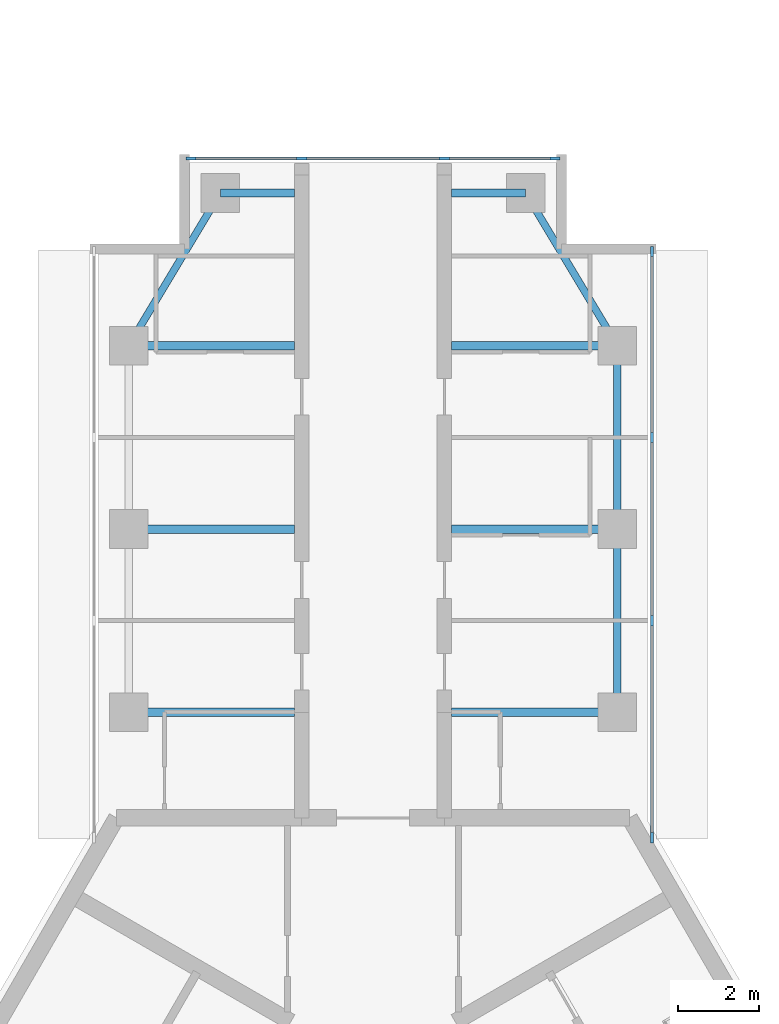
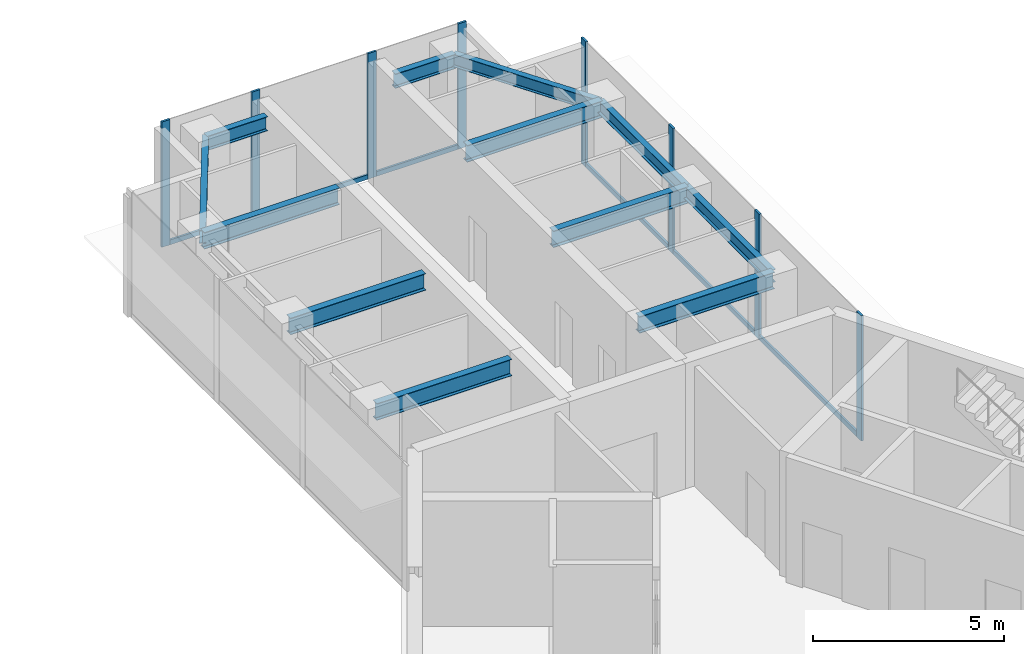
# One storey, part 3 of 11: 14 members, 12 beams, 2 elements without a shape of their own.
"""IFC4 building model written with IfcOpenShell, lengths in metres."""

from ifc_helpers import new_model, si_unit, direction, frame, origin, origin_2d, place, context, subcontext, project, spatial, rectangle, i_section, extrude, material, material_profile, profile_set, type_object, element, aggregate, save


model = new_model("IFC4")

# Units and contexts
model_context = context("Model", 3, precision=1e-05, world=origin(), true_north=direction((0.0, 1.0)))
body_context = subcontext(model_context, "Body", "Model", "MODEL_VIEW")
ifc_project = project(units=[si_unit("LENGTHUNIT", "METRE"), si_unit("AREAUNIT", "SQUARE_METRE"), si_unit("VOLUMEUNIT", "CUBIC_METRE"), si_unit("PLANEANGLEUNIT", "RADIAN"), si_unit("MASSUNIT", "GRAM", prefix="KILO")], contexts=[model_context])

# Site, building, storey
site_placement = place(None, origin())
site = spatial("IfcSite", under=ifc_project, at=site_placement, CompositionType="ELEMENT")
building_placement = place(site_placement, origin())
building = spatial("IfcBuilding", under=site, at=building_placement, Name="Upepo Twin Towers", CompositionType="ELEMENT")
storey_placement = place(building_placement, frame((0.0, 0.0, 283.5)))
storey = spatial("IfcBuildingStorey", under=building, at=storey_placement, Name="L69", CompositionType="ELEMENT", Elevation=283.5)

# Beams
ifc_material_1 = material(Name="Steel S355", Category="steel")
ifc_material_profile_1 = material_profile(ifc_material_1, i_section(OverallWidth=0.177978515625, OverallDepth=0.406494140625, WebThickness=0.0078125, FlangeThickness=0.0126953125, FilletRadius=0.01025390625, at=origin_2d()), Name="UB 406x178x60")
ifc_profile_set_1 = profile_set([ifc_material_profile_1], Name="Steel S355")
beam_type_1 = type_object("IfcBeamType", Name="Beam UB 406x178x60", PredefinedType="BEAM", material=ifc_profile_set_1)
beam_1_placement = place(storey_placement, frame((52.5, 4.5, 3.5966796875), z_axis=(0.514495755428, 0.857492925713, 0.0), x_axis=(-0.857492925713, 0.514495755428, 0.0)))
element("IfcBeam", 1, at=beam_1_placement, inside=storey, type_object=beam_type_1, Name="T2 nose edge beam AL", PredefinedType="BEAM", context=body_context, shape_type="SweptSolid", body=[
    extrude(i_section(OverallWidth=0.177978515625, OverallDepth=0.406494140625, WebThickness=0.0078125, FlangeThickness=0.0126953125, FilletRadius=0.01025390625, at=origin_2d()), origin(), (0.0, 0.0, 1.0), 4.373291015625),
])
for number, where, z_axis, x_axis, name in (
    (2, (64.5, -4.5, 3.5966796875), (0.0, 1.0, 0.0), (-1.0, 0.0, 0.0), "T2 edge beam AR 13.5-18.0"),
    (3, (64.5, 0.0, 3.5966796875), (0.0, 1.0, 0.0), (-1.0, 0.0, 0.0), "T2 edge beam AR 18.0-22.5"),
):
    element("IfcBeam", number, at=place(storey_placement, frame(where, z_axis=z_axis, x_axis=x_axis)), inside=storey, type_object=beam_type_1, Name=name, PredefinedType="BEAM", context=body_context, shape_type="SweptSolid", body=[
        extrude(i_section(OverallWidth=0.177978515625, OverallDepth=0.406494140625, WebThickness=0.0078125, FlangeThickness=0.0126953125, FilletRadius=0.01025390625, at=origin_2d()), origin(), (0.0, 0.0, 1.0), 4.5),
    ])
beam_2_placement = place(storey_placement, frame((64.5, 4.5, 3.5966796875), z_axis=(-0.514495755428, 0.857492925713, 0.0), x_axis=(-0.857492925713, -0.514495755428, 0.0)))
element("IfcBeam", 4, at=beam_2_placement, inside=storey, type_object=beam_type_1, Name="T2 nose edge beam AR", PredefinedType="BEAM", context=body_context, shape_type="SweptSolid", body=[
    extrude(i_section(OverallWidth=0.177978515625, OverallDepth=0.406494140625, WebThickness=0.0078125, FlangeThickness=0.0126953125, FilletRadius=0.01025390625, at=origin_2d()), origin(), (0.0, 0.0, 1.0), 4.373291015625),
])
ifc_material_2 = material(Name="Steel S355", Category="steel")
ifc_material_profile_2 = material_profile(ifc_material_2, i_section(OverallWidth=0.19140625, OverallDepth=0.4599609375, WebThickness=0.010009765625, FlangeThickness=0.01611328125, FilletRadius=0.01025390625, at=origin_2d()), Name="UB 457x191x82")
ifc_profile_set_2 = profile_set([ifc_material_profile_2], Name="Steel S355")
beam_type_2 = type_object("IfcBeamType", Name="Beam UB 457x191x82", PredefinedType="BEAM", material=ifc_profile_set_2)
for number, where, z_axis, x_axis, name in (
    (5, (54.75, 8.25, 3.570068359375), (1.0, 0.0, 0.0), (0.0, 1.0, 0.0), "T2 nose beam AL"),
    (6, (62.25, 8.25, 3.570068359375), (-1.0, 0.0, 0.0), (0.0, -1.0, 0.0), "T2 nose beam AR"),
):
    element("IfcBeam", number, at=place(storey_placement, frame(where, z_axis=z_axis, x_axis=x_axis)), inside=storey, type_object=beam_type_2, Name=name, PredefinedType="BEAM", context=body_context, shape_type="SweptSolid", body=[
        extrude(i_section(OverallWidth=0.19140625, OverallDepth=0.4599609375, WebThickness=0.010009765625, FlangeThickness=0.01611328125, FilletRadius=0.01025390625, at=origin_2d()), origin(), (0.0, 0.0, 1.0), 1.824951171875),
    ])
ifc_material_3 = material(Name="Steel S355", Category="steel")
ifc_material_profile_3 = material_profile(ifc_material_3, i_section(OverallWidth=0.209228515625, OverallDepth=0.533203125, WebThickness=0.010009765625, FlangeThickness=0.015625, FilletRadius=0.0126953125, at=origin_2d()), Name="UB 533x210x92")
ifc_profile_set_3 = profile_set([ifc_material_profile_3], Name="Steel S355")
beam_type_3 = type_object("IfcBeamType", Name="Beam UB 533x210x92", PredefinedType="BEAM", material=ifc_profile_set_3)
for number, where, z_axis, x_axis, name in (
    (7, (52.5, -4.5, 3.533447265625), (1.0, 0.0, 0.0), (0.0, 1.0, 0.0), "T2 girder AL at 13.5"),
    (8, (52.5, 0.0, 3.533447265625), (1.0, 0.0, 0.0), (0.0, 1.0, 0.0), "T2 girder AL at 18.0"),
    (9, (52.5, 4.5, 3.533447265625), (1.0, 0.0, 0.0), (0.0, 1.0, 0.0), "T2 girder AL at 22.5"),
    (10, (64.5, -4.5, 3.533447265625), (-1.0, 0.0, 0.0), (0.0, -1.0, 0.0), "T2 girder AR at 13.5"),
    (11, (64.5, 0.0, 3.533447265625), (-1.0, 0.0, 0.0), (0.0, -1.0, 0.0), "T2 girder AR at 18.0"),
    (12, (64.5, 4.5, 3.533447265625), (-1.0, 0.0, 0.0), (0.0, -1.0, 0.0), "T2 girder AR at 22.5"),
):
    element("IfcBeam", number, at=place(storey_placement, frame(where, z_axis=z_axis, x_axis=x_axis)), inside=storey, type_object=beam_type_3, Name=name, PredefinedType="BEAM", context=body_context, shape_type="SweptSolid", body=[
        extrude(i_section(OverallWidth=0.209228515625, OverallDepth=0.533203125, WebThickness=0.010009765625, FlangeThickness=0.015625, FilletRadius=0.0126953125, at=origin_2d()), origin(), (0.0, 0.0, 1.0), 4.074951171875),
    ])

# Curtain wall, members
ifc_material_4 = material(Name="Aluminium and fritted glass", Category="aluminium")
curtain_wall_type = type_object("IfcCurtainWallType", Name="Tower curtain wall TW4, fritted glass", PredefinedType="NOTDEFINED", material=ifc_material_4)
curtain_wall_1_placement = place(storey_placement, origin())
curtain_wall_1 = element("IfcCurtainWall", 13, at=curtain_wall_1_placement, inside=storey, type_object=curtain_wall_type, Name="T2 L69 wing A flank R curtain wall", PredefinedType="NOTDEFINED")
ifc_material_5 = material(Name="Aluminium mullion", Category="aluminium")
ifc_material_profile_4 = material_profile(ifc_material_5, rectangle(XDim=0.06494140625, YDim=0.25, at=origin_2d()), Name="MULLION 65x250")
ifc_profile_set_4 = profile_set([ifc_material_profile_4], Name="Aluminium mullion")
member_type_1 = type_object("IfcMemberType", Name="Mullion 65x250 TW4", PredefinedType="MULLION", material=ifc_profile_set_4)
member_1_placement = place(storey_placement, frame((65.35009765625, 6.8173828125, 0.0), z_axis=(0.0, 0.0, 1.0), x_axis=(1.0, 0.0, 0.0)))
member_1 = element("IfcMember", 14, at=member_1_placement, type_object=member_type_1, Name="T2 L69 wing A flank R curtain wall mullion 1", PredefinedType="MULLION", context=body_context, shape_type="SweptSolid", body=[
    extrude(rectangle(XDim=0.06494140625, YDim=0.25, at=origin_2d()), origin(), (0.0, 0.0, 1.0), 4.0),
])
member_2_placement = place(storey_placement, frame((65.35009765625, 2.25, 0.0), z_axis=(0.0, 0.0, 1.0), x_axis=(1.0, 0.0, 0.0)))
member_2 = element("IfcMember", 15, at=member_2_placement, type_object=member_type_1, Name="T2 L69 wing A flank R curtain wall mullion 2", PredefinedType="MULLION", context=body_context, shape_type="SweptSolid", body=[
    extrude(rectangle(XDim=0.06494140625, YDim=0.25, at=origin_2d()), origin(), (0.0, 0.0, 1.0), 4.0),
])
member_3_placement = place(storey_placement, frame((65.35009765625, -2.25, 0.0), z_axis=(0.0, 0.0, 1.0), x_axis=(1.0, 0.0, 0.0)))
member_3 = element("IfcMember", 16, at=member_3_placement, type_object=member_type_1, Name="T2 L69 wing A flank R curtain wall mullion 3", PredefinedType="MULLION", context=body_context, shape_type="SweptSolid", body=[
    extrude(rectangle(XDim=0.06494140625, YDim=0.25, at=origin_2d()), origin(), (0.0, 0.0, 1.0), 4.0),
])
member_4_placement = place(storey_placement, frame((65.35009765625, -7.580322265625, 0.0), z_axis=(0.0, 0.0, 1.0), x_axis=(1.0, 0.0, 0.0)))
member_4 = element("IfcMember", 17, at=member_4_placement, type_object=member_type_1, Name="T2 L69 wing A flank R curtain wall mullion 4", PredefinedType="MULLION", context=body_context, shape_type="SweptSolid", body=[
    extrude(rectangle(XDim=0.06494140625, YDim=0.25, at=origin_2d()), origin(), (0.0, 0.0, 1.0), 4.0),
])

curtain_wall_2_placement = place(storey_placement, origin())
curtain_wall_2 = element("IfcCurtainWall", 18, at=curtain_wall_2_placement, inside=storey, type_object=curtain_wall_type, Name="T2 L69 wing A nose curtain wall", PredefinedType="NOTDEFINED")
member_5_placement = place(storey_placement, frame((62.967529296875, 9.10009765625, 0.0), z_axis=(0.0, 0.0, 1.0), x_axis=(0.0, -1.0, 0.0)))
member_5 = element("IfcMember", 19, at=member_5_placement, type_object=member_type_1, Name="T2 L69 wing A nose curtain wall mullion 1", PredefinedType="MULLION", context=body_context, shape_type="SweptSolid", body=[
    extrude(rectangle(XDim=0.06494140625, YDim=0.25, at=origin_2d()), origin(), (0.0, 0.0, 1.0), 4.0),
])
member_6_placement = place(storey_placement, frame((60.25, 9.10009765625, 0.0), z_axis=(0.0, 0.0, 1.0), x_axis=(0.0, -1.0, 0.0)))
member_6 = element("IfcMember", 20, at=member_6_placement, type_object=member_type_1, Name="T2 L69 wing A nose curtain wall mullion 2", PredefinedType="MULLION", context=body_context, shape_type="SweptSolid", body=[
    extrude(rectangle(XDim=0.06494140625, YDim=0.25, at=origin_2d()), origin(), (0.0, 0.0, 1.0), 4.0),
])
member_7_placement = place(storey_placement, frame((56.75, 9.10009765625, 0.0), z_axis=(0.0, 0.0, 1.0), x_axis=(0.0, -1.0, 0.0)))
member_7 = element("IfcMember", 21, at=member_7_placement, type_object=member_type_1, Name="T2 L69 wing A nose curtain wall mullion 3", PredefinedType="MULLION", context=body_context, shape_type="SweptSolid", body=[
    extrude(rectangle(XDim=0.06494140625, YDim=0.25, at=origin_2d()), origin(), (0.0, 0.0, 1.0), 4.0),
])
member_8_placement = place(storey_placement, frame((54.032470703125, 9.10009765625, 0.0), z_axis=(0.0, 0.0, 1.0), x_axis=(0.0, -1.0, 0.0)))
member_8 = element("IfcMember", 22, at=member_8_placement, type_object=member_type_1, Name="T2 L69 wing A nose curtain wall mullion 4", PredefinedType="MULLION", context=body_context, shape_type="SweptSolid", body=[
    extrude(rectangle(XDim=0.06494140625, YDim=0.25, at=origin_2d()), origin(), (0.0, 0.0, 1.0), 4.0),
])

# Member
ifc_material_6 = material(Name="Aluminium transom", Category="aluminium")
ifc_material_profile_5 = material_profile(ifc_material_6, rectangle(XDim=0.06494140625, YDim=0.14990234375, at=origin_2d()), Name="TRANSOM 65x150")
ifc_profile_set_5 = profile_set([ifc_material_profile_5], Name="Aluminium transom")
member_type_2 = type_object("IfcMemberType", Name="Transom 65x150 TW4", PredefinedType="USERDEFINED", material=ifc_profile_set_5)
member_9_placement = place(storey_placement, frame((65.35009765625, 6.784912109375, 0.074951171875), z_axis=(0.0, -1.0, 0.0), x_axis=(1.0, 0.0, 0.0)))
member_9 = element("IfcMember", 23, at=member_9_placement, type_object=member_type_2, Name="T2 L69 wing A flank R curtain wall transom 1", ObjectType="TRANSOM", PredefinedType="USERDEFINED", context=body_context, shape_type="SweptSolid", body=[
    extrude(rectangle(XDim=0.06494140625, YDim=0.14990234375, at=origin_2d()), origin(), (0.0, 0.0, 1.0), 4.50244140625),
])

member_10_placement = place(storey_placement, frame((65.35009765625, 2.217529296875, 0.074951171875), z_axis=(0.0, -1.0, 0.0), x_axis=(1.0, 0.0, 0.0)))
member_10 = element("IfcMember", 24, at=member_10_placement, type_object=member_type_2, Name="T2 L69 wing A flank R curtain wall transom 2", ObjectType="TRANSOM", PredefinedType="USERDEFINED", context=body_context, shape_type="SweptSolid", body=[
    extrude(rectangle(XDim=0.06494140625, YDim=0.14990234375, at=origin_2d()), origin(), (0.0, 0.0, 1.0), 4.43505859375),
])

member_11_placement = place(storey_placement, frame((65.35009765625, -2.282470703125, 0.074951171875), z_axis=(0.0, -1.0, 0.0), x_axis=(1.0, 0.0, 0.0)))
member_11 = element("IfcMember", 25, at=member_11_placement, type_object=member_type_2, Name="T2 L69 wing A flank R curtain wall transom 3", ObjectType="TRANSOM", PredefinedType="USERDEFINED", context=body_context, shape_type="SweptSolid", body=[
    extrude(rectangle(XDim=0.06494140625, YDim=0.14990234375, at=origin_2d()), origin(), (0.0, 0.0, 1.0), 5.265380859375),
])

aggregate(curtain_wall_1, [member_1, member_2, member_3, member_4, member_9, member_10, member_11])

member_12_placement = place(storey_placement, frame((62.93505859375, 9.10009765625, 0.074951171875), z_axis=(-1.0, 0.0, 0.0), x_axis=(0.0, -1.0, 0.0)))
member_12 = element("IfcMember", 26, at=member_12_placement, type_object=member_type_2, Name="T2 L69 wing A nose curtain wall transom 1", ObjectType="TRANSOM", PredefinedType="USERDEFINED", context=body_context, shape_type="SweptSolid", body=[
    extrude(rectangle(XDim=0.06494140625, YDim=0.14990234375, at=origin_2d()), origin(), (0.0, 0.0, 1.0), 2.652587890625),
])

member_13_placement = place(storey_placement, frame((60.217529296875, 9.10009765625, 0.074951171875), z_axis=(-1.0, 0.0, 0.0), x_axis=(0.0, -1.0, 0.0)))
member_13 = element("IfcMember", 27, at=member_13_placement, type_object=member_type_2, Name="T2 L69 wing A nose curtain wall transom 2", ObjectType="TRANSOM", PredefinedType="USERDEFINED", context=body_context, shape_type="SweptSolid", body=[
    extrude(rectangle(XDim=0.06494140625, YDim=0.14990234375, at=origin_2d()), origin(), (0.0, 0.0, 1.0), 3.43505859375),
])

member_14_placement = place(storey_placement, frame((56.717529296875, 9.10009765625, 0.074951171875), z_axis=(-1.0, 0.0, 0.0), x_axis=(0.0, -1.0, 0.0)))
member_14 = element("IfcMember", 28, at=member_14_placement, type_object=member_type_2, Name="T2 L69 wing A nose curtain wall transom 3", ObjectType="TRANSOM", PredefinedType="USERDEFINED", context=body_context, shape_type="SweptSolid", body=[
    extrude(rectangle(XDim=0.06494140625, YDim=0.14990234375, at=origin_2d()), origin(), (0.0, 0.0, 1.0), 2.652587890625),
])

aggregate(curtain_wall_2, [member_5, member_6, member_7, member_8, member_12, member_13, member_14])

save(model, "model.ifc")
